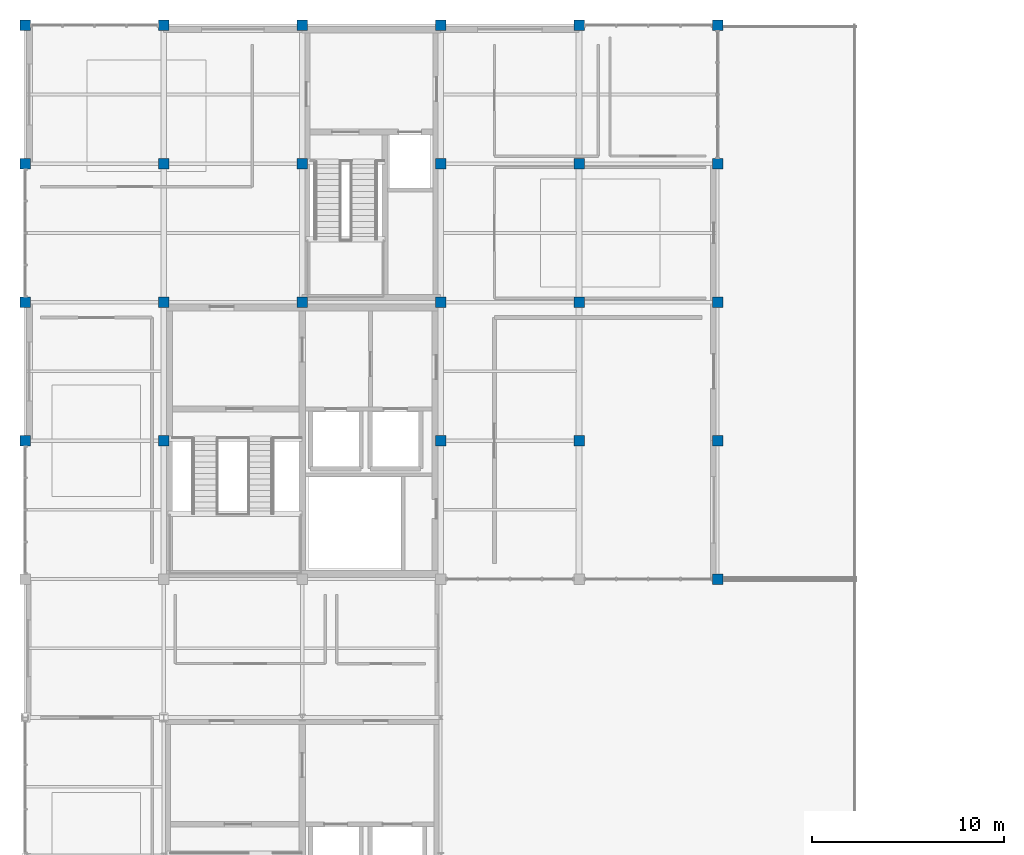
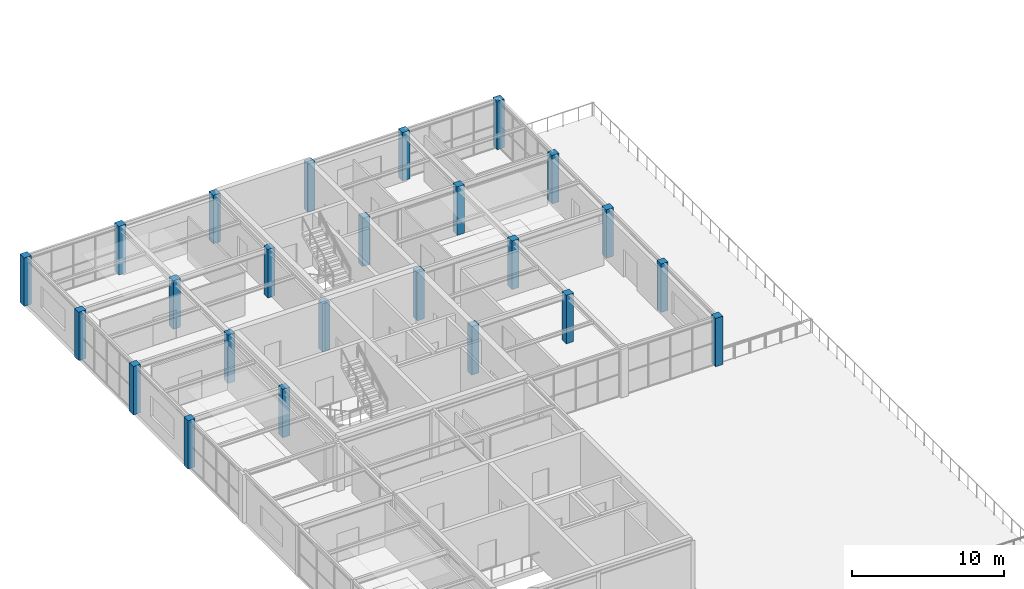
# One storey, part 3 of 30: 24 columns.
"""IFC4 building model written with IfcOpenShell, lengths in metres."""

from ifc_helpers import new_model, si_unit, direction, frame, origin, origin_2d, place, context, subcontext, project, spatial, rectangle, extrude, material, material_profile, profile_set, type_object, element, save


model = new_model("IFC4")

# Units and contexts
model_context = context("Model", 3, precision=1e-05, world=origin(), true_north=direction((0.0, 1.0)))
body_context = subcontext(model_context, "Body", "Model", "MODEL_VIEW")
ifc_project = project(units=[si_unit("LENGTHUNIT", "METRE"), si_unit("AREAUNIT", "SQUARE_METRE"), si_unit("VOLUMEUNIT", "CUBIC_METRE"), si_unit("PLANEANGLEUNIT", "RADIAN"), si_unit("MASSUNIT", "GRAM", prefix="KILO")], contexts=[model_context])

# Site, building, storey
site_placement = place(None, origin())
site = spatial("IfcSite", under=ifc_project, at=site_placement, CompositionType="ELEMENT")
building_placement = place(site_placement, origin())
building = spatial("IfcBuilding", under=site, at=building_placement, Name="Leyfeld Transit Interchange", CompositionType="ELEMENT")
storey_placement = place(building_placement, frame((0.0, 0.0, 13.800048828125)))
storey = spatial("IfcBuildingStorey", under=building, at=storey_placement, Name="L03", CompositionType="ELEMENT", Elevation=13.800048828125)

# Columns
ifc_material = material(Name="Concrete C35/45", Category="concrete")
ifc_material_profile = material_profile(ifc_material, rectangle(XDim=0.550048828125, YDim=0.550048828125, at=origin_2d()), Name="RC 550x550")
ifc_profile_set = profile_set([ifc_material_profile], Name="Concrete C35/45")
column_type = type_object("IfcColumnType", Name="COL-RC-550", PredefinedType="COLUMN", material=ifc_profile_set)
for number, where, z_axis, x_axis, name in (
    (1, (0.0, 100.800048828125, 0.0), (0.0, 0.0, 1.0), (1.0, 0.0, 0.0), "Column COL-L03-0000_1008"),
    (2, (0.0, 108.0, 0.0), (0.0, 0.0, 1.0), (1.0, 0.0, 0.0), "Column COL-L03-0000_1080"),
    (3, (0.0, 115.199951171875, 0.0), (0.0, 0.0, 1.0), (1.0, 0.0, 0.0), "Column COL-L03-0000_1152"),
    (4, (0.0, 122.39990234375, 0.0), (0.0, 0.0, 1.0), (1.0, 0.0, 0.0), "Column COL-L03-0000_1224"),
    (5, (7.199951171875, 100.800048828125, 0.0), (0.0, 0.0, 1.0), (1.0, 0.0, 0.0), "Column COL-L03-0072_1008"),
    (6, (7.199951171875, 108.0, 0.0), (0.0, 0.0, 1.0), (1.0, 0.0, 0.0), "Column COL-L03-0072_1080"),
    (7, (7.199951171875, 115.199951171875, 0.0), (0.0, 0.0, 1.0), (1.0, 0.0, 0.0), "Column COL-L03-0072_1152"),
    (8, (7.199951171875, 122.39990234375, 0.0), (0.0, 0.0, 1.0), (1.0, 0.0, 0.0), "Column COL-L03-0072_1224"),
    (9, (14.39990234375, 108.0, 0.0), (0.0, 0.0, 1.0), (1.0, 0.0, 0.0), "Column COL-L03-0144_1080"),
    (10, (14.39990234375, 115.199951171875, 0.0), (0.0, 0.0, 1.0), (1.0, 0.0, 0.0), "Column COL-L03-0144_1152"),
    (11, (14.39990234375, 122.39990234375, 0.0), (0.0, 0.0, 1.0), (1.0, 0.0, 0.0), "Column COL-L03-0144_1224"),
    (12, (21.60009765625, 100.800048828125, 0.0), (0.0, 0.0, 1.0), (1.0, 0.0, 0.0), "Column COL-L03-0216_1008"),
    (13, (21.60009765625, 108.0, 0.0), (0.0, 0.0, 1.0), (1.0, 0.0, 0.0), "Column COL-L03-0216_1080"),
    (14, (21.60009765625, 115.199951171875, 0.0), (0.0, 0.0, 1.0), (1.0, 0.0, 0.0), "Column COL-L03-0216_1152"),
    (15, (21.60009765625, 122.39990234375, 0.0), (0.0, 0.0, 1.0), (1.0, 0.0, 0.0), "Column COL-L03-0216_1224"),
    (16, (28.800048828125, 100.800048828125, 0.0), (0.0, 0.0, 1.0), (1.0, 0.0, 0.0), "Column COL-L03-0288_1008"),
    (17, (28.800048828125, 108.0, 0.0), (0.0, 0.0, 1.0), (1.0, 0.0, 0.0), "Column COL-L03-0288_1080"),
    (18, (28.800048828125, 115.199951171875, 0.0), (0.0, 0.0, 1.0), (1.0, 0.0, 0.0), "Column COL-L03-0288_1152"),
    (19, (28.800048828125, 122.39990234375, 0.0), (0.0, 0.0, 1.0), (1.0, 0.0, 0.0), "Column COL-L03-0288_1224"),
    (20, (36.0, 93.60009765625, 0.0), (0.0, 0.0, 1.0), (1.0, 0.0, 0.0), "Column COL-L03-0360_0936"),
    (21, (36.0, 100.800048828125, 0.0), (0.0, 0.0, 1.0), (1.0, 0.0, 0.0), "Column COL-L03-0360_1008"),
    (22, (36.0, 108.0, 0.0), (0.0, 0.0, 1.0), (1.0, 0.0, 0.0), "Column COL-L03-0360_1080"),
    (23, (36.0, 115.199951171875, 0.0), (0.0, 0.0, 1.0), (1.0, 0.0, 0.0), "Column COL-L03-0360_1152"),
    (24, (36.0, 122.39990234375, 0.0), (0.0, 0.0, 1.0), (1.0, 0.0, 0.0), "Column COL-L03-0360_1224"),
):
    element("IfcColumn", number, at=place(storey_placement, frame(where, z_axis=z_axis, x_axis=x_axis)), inside=storey, type_object=column_type, Name=name, PredefinedType="COLUMN", context=body_context, shape_type="SweptSolid", body=[
        extrude(rectangle(XDim=0.550048828125, YDim=0.550048828125, at=origin_2d()), origin(), (0.0, 0.0, 1.0), 3.89990234375),
    ])

save(model, "model.ifc")
